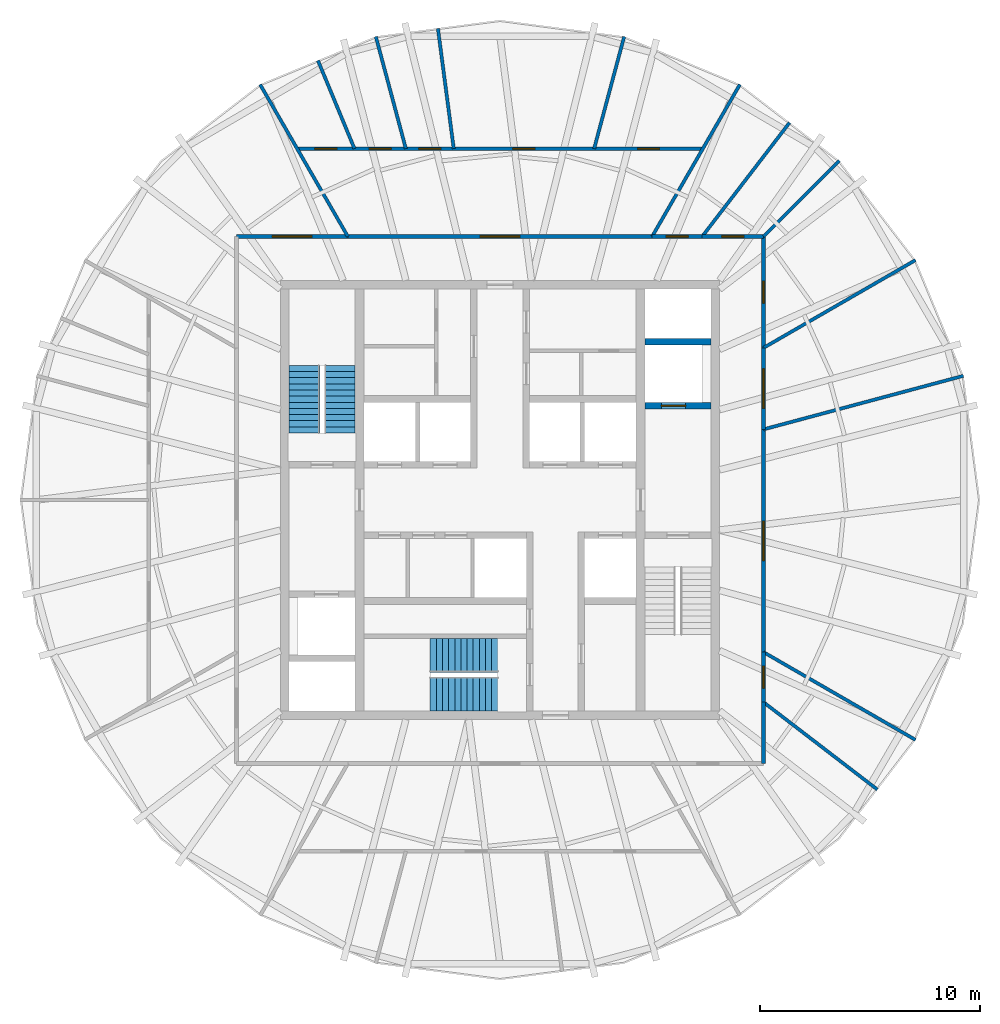
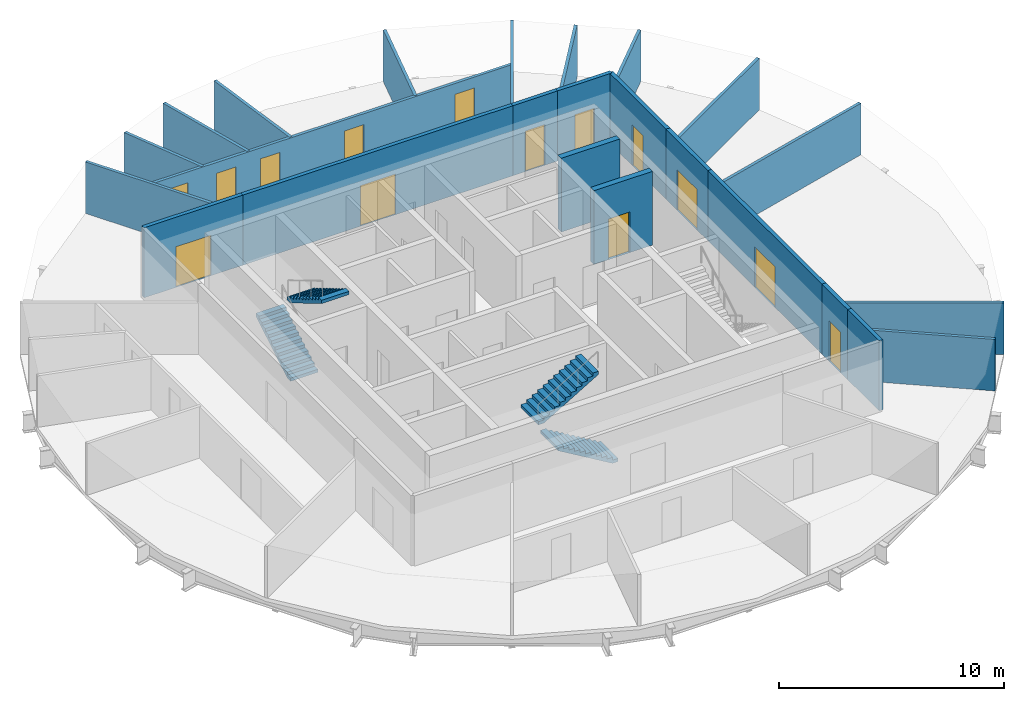
# One storey, part 5 of 7: 24 walls, 14 doors, 4 stair flights, 14 openings, 2 elements without a shape of their own.
"""IFC4 building model written with IfcOpenShell, lengths in metres."""

from ifc_helpers import new_model, si_unit, direction, frame, frame_2d, origin, place, context, subcontext, project, spatial, polyline, rectangle, outline, extrude, material, layer, layer_set, type_object, element, fill, aggregate, save


model = new_model("IFC4")

# Units and contexts
model_context = context("Model", 3, precision=1e-05, world=origin(), true_north=direction((0.0, 1.0)))
body_context = subcontext(model_context, "Body", "Model", "MODEL_VIEW")
ifc_project = project(units=[si_unit("LENGTHUNIT", "METRE"), si_unit("AREAUNIT", "SQUARE_METRE"), si_unit("VOLUMEUNIT", "CUBIC_METRE"), si_unit("PLANEANGLEUNIT", "RADIAN"), si_unit("MASSUNIT", "GRAM", prefix="KILO")], contexts=[model_context])

# Site, building, storey
site_placement = place(None, origin())
site = spatial("IfcSite", under=ifc_project, at=site_placement, CompositionType="ELEMENT")
building_placement = place(site_placement, origin())
building = spatial("IfcBuilding", under=site, at=building_placement, Name="Golbaran Civic Tower", CompositionType="ELEMENT")
storey_placement = place(building_placement, frame((0.0, 0.0, 268.0)))
storey = spatial("IfcBuildingStorey", under=building, at=storey_placement, Name="L65", CompositionType="ELEMENT", Elevation=268.0)

# Wall, opening, door
ifc_material_1 = material(Name="Gypsum board on steel studs, fire-rated", Category="steel")
ifc_layer_1 = layer(ifc_material_1, 0.199951171875, Name="Gypsum board on steel studs, fire-rated")
ifc_layer_set_1 = layer_set([ifc_layer_1], Name="Gypsum board on steel studs, fire-rated")
wall_type_1 = type_object("IfcWallType", Name="CORRIDOR WALL 200", PredefinedType="PARTITIONING", material=ifc_layer_set_1)
wall_1_placement = place(storey_placement, frame((12.0, -6.92822265625, 0.0), z_axis=(0.0, 0.0, 1.0), x_axis=(0.0, 1.0, 0.0)))
wall_1 = element("IfcWall", 1, at=wall_1_placement, inside=storey, type_object=wall_type_1, Name="Corridor wall L65", PredefinedType="PARTITIONING", context=body_context, shape_type="SweptSolid", body=[
    extrude(rectangle(XDim=10.1435546875, YDim=0.199951171875, at=frame_2d((5.07177734375, 0.0))), origin(), (0.0, 0.0, 1.0), 3.800048828125),
])
opening_1_placement = place(wall_1_placement, frame((4.171875, 0.0, 0.0)))
opening_1 = element("IfcOpeningElement", 2, at=opening_1_placement, cuts=wall_1, Name="Opening L65.14", PredefinedType="OPENING", context=body_context, shape_type="SweptSolid", body=[
    extrude(rectangle(XDim=1.800048828125, YDim=2.199951171875, at=frame_2d((0.89990234375, 1.10009765625))), frame((0.0, 0.10986328125, 0.0), z_axis=(0.0, -1.0, 0.0), x_axis=(1.0, 0.0, 0.0)), (0.0, 0.0, 1.0), 0.219970703125),
])
ifc_material_2 = material(Name="Timber door set in steel frame", Category="steel")
door_type_1 = type_object("IfcDoorType", Name="OFFICE DOUBLE DOOR 1800x2200", OperationType="DOUBLE_DOOR_SINGLE_SWING", PredefinedType="DOOR", material=ifc_material_2)
door_1_placement = place(opening_1_placement, origin())
door_1 = element("IfcDoor", 3, at=door_1_placement, inside=storey, type_object=door_type_1, Name="Meeting Room door L65", OperationType="DOUBLE_DOOR_SINGLE_SWING", OverallHeight=2.199951171875, OverallWidth=1.800048828125, PredefinedType="DOOR", context=body_context, shape_type="SweptSolid", body=[
    extrude(rectangle(XDim=1.800048828125, YDim=2.199951171875, at=frame_2d((0.89990234375, 1.10009765625))), frame((0.0, 0.02490234375, 0.0), z_axis=(0.0, -1.0, 0.0), x_axis=(1.0, 0.0, 0.0)), (0.0, 0.0, 1.0), 0.050048828125),
])
fill(opening_1, door_1)

wall_2_placement = place(storey_placement, frame((12.0, 3.21533203125, 0.0), z_axis=(0.0, 0.0, 1.0), x_axis=(0.0, 1.0, 0.0)))
wall_2 = element("IfcWall", 4, at=wall_2_placement, inside=storey, type_object=wall_type_1, Name="Corridor wall L65", PredefinedType="PARTITIONING", context=body_context, shape_type="SweptSolid", body=[
    extrude(rectangle(XDim=3.712890625, YDim=0.199951171875, at=frame_2d((1.8564453125, 0.0))), origin(), (0.0, 0.0, 1.0), 3.800048828125),
])
opening_2_placement = place(wall_2_placement, frame((0.956298828125, 0.0, 0.0)))
opening_2 = element("IfcOpeningElement", 5, at=opening_2_placement, cuts=wall_2, Name="Opening L65.15", PredefinedType="OPENING", context=body_context, shape_type="SweptSolid", body=[
    extrude(rectangle(XDim=1.800048828125, YDim=2.199951171875, at=frame_2d((0.89990234375, 1.10009765625))), frame((0.0, 0.10986328125, 0.0), z_axis=(0.0, -1.0, 0.0), x_axis=(1.0, 0.0, 0.0)), (0.0, 0.0, 1.0), 0.219970703125),
])
door_2_placement = place(opening_2_placement, origin())
door_2 = element("IfcDoor", 6, at=door_2_placement, inside=storey, type_object=door_type_1, Name="Conference Room door L65", OperationType="DOUBLE_DOOR_SINGLE_SWING", OverallHeight=2.199951171875, OverallWidth=1.800048828125, PredefinedType="DOOR", context=body_context, shape_type="SweptSolid", body=[
    extrude(rectangle(XDim=1.800048828125, YDim=2.199951171875, at=frame_2d((0.89990234375, 1.10009765625))), frame((0.0, 0.02490234375, 0.0), z_axis=(0.0, -1.0, 0.0), x_axis=(1.0, 0.0, 0.0)), (0.0, 0.0, 1.0), 0.050048828125),
])
fill(opening_2, door_2)

wall_3_placement = place(storey_placement, frame((12.0, 6.92822265625, 0.0), z_axis=(0.0, 0.0, 1.0), x_axis=(0.0, 1.0, 0.0)))
wall_3 = element("IfcWall", 7, at=wall_3_placement, inside=storey, type_object=wall_type_1, Name="Corridor wall L65", PredefinedType="PARTITIONING", context=body_context, shape_type="SweptSolid", body=[
    extrude(rectangle(XDim=5.07177734375, YDim=0.199951171875, at=frame_2d((2.535888671875, 0.0))), origin(), (0.0, 0.0, 1.0), 3.800048828125),
])
opening_3_placement = place(wall_3_placement, frame((2.035888671875, 0.0, 0.0)))
opening_3 = element("IfcOpeningElement", 8, at=opening_3_placement, cuts=wall_3, Name="Opening L65.16", PredefinedType="OPENING", context=body_context, shape_type="SweptSolid", body=[
    extrude(rectangle(XDim=1.0, YDim=2.199951171875, at=frame_2d((0.5, 1.10009765625))), frame((0.0, 0.10986328125, 0.0), z_axis=(0.0, -1.0, 0.0), x_axis=(1.0, 0.0, 0.0)), (0.0, 0.0, 1.0), 0.219970703125),
])
door_type_2 = type_object("IfcDoorType", Name="OFFICE DOOR 1000x2200", OperationType="SINGLE_SWING_LEFT", PredefinedType="DOOR", material=ifc_material_2)
door_3_placement = place(opening_3_placement, origin())
door_3 = element("IfcDoor", 9, at=door_3_placement, inside=storey, type_object=door_type_2, Name="Pantry door L65", OperationType="SINGLE_SWING_LEFT", OverallHeight=2.199951171875, OverallWidth=1.0, PredefinedType="DOOR", context=body_context, shape_type="SweptSolid", body=[
    extrude(rectangle(XDim=1.0, YDim=2.199951171875, at=frame_2d((0.5, 1.10009765625))), frame((0.0, 0.02490234375, 0.0), z_axis=(0.0, -1.0, 0.0), x_axis=(1.0, 0.0, 0.0)), (0.0, 0.0, 1.0), 0.050048828125),
])
fill(opening_3, door_3)

wall_4_placement = place(storey_placement, frame((12.0, 12.0, 0.0), z_axis=(0.0, 0.0, 1.0), x_axis=(-1.0, 0.0, 0.0)))
wall_4 = element("IfcWall", 10, at=wall_4_placement, inside=storey, type_object=wall_type_1, Name="Corridor wall L65", PredefinedType="PARTITIONING", context=body_context, shape_type="SweptSolid", body=[
    extrude(rectangle(XDim=2.7919921875, YDim=0.199951171875, at=frame_2d((1.39599609375, 0.0))), origin(), (0.0, 0.0, 1.0), 3.800048828125),
])
opening_4_placement = place(wall_4_placement, frame((0.89599609375, 0.0, 0.0)))
opening_4 = element("IfcOpeningElement", 11, at=opening_4_placement, cuts=wall_4, Name="Opening L65.17", PredefinedType="OPENING", context=body_context, shape_type="SweptSolid", body=[
    extrude(rectangle(XDim=1.0, YDim=2.199951171875, at=frame_2d((0.5, 1.10009765625))), frame((0.0, 0.10986328125, 0.0), z_axis=(0.0, -1.0, 0.0), x_axis=(1.0, 0.0, 0.0)), (0.0, 0.0, 1.0), 0.219970703125),
])
door_4_placement = place(opening_4_placement, origin())
door_4 = element("IfcDoor", 12, at=door_4_placement, inside=storey, type_object=door_type_2, Name="Prayer Room door L65", OperationType="SINGLE_SWING_RIGHT", OverallHeight=2.199951171875, OverallWidth=1.0, PredefinedType="DOOR", context=body_context, shape_type="SweptSolid", body=[
    extrude(rectangle(XDim=1.0, YDim=2.199951171875, at=frame_2d((0.5, 1.10009765625))), frame((0.0, 0.02490234375, 0.0), z_axis=(0.0, -1.0, 0.0), x_axis=(1.0, 0.0, 0.0)), (0.0, 0.0, 1.0), 0.050048828125),
])
fill(opening_4, door_4)

wall_5_placement = place(storey_placement, frame((9.2080078125, 12.0, 0.0), z_axis=(0.0, 0.0, 1.0), x_axis=(-1.0, 0.0, 0.0)))
wall_5 = element("IfcWall", 13, at=wall_5_placement, inside=storey, type_object=wall_type_1, Name="Corridor wall L65", PredefinedType="PARTITIONING", context=body_context, shape_type="SweptSolid", body=[
    extrude(rectangle(XDim=2.27978515625, YDim=0.199951171875, at=frame_2d((1.139892578125, 0.0))), origin(), (0.0, 0.0, 1.0), 3.800048828125),
])
opening_5_placement = place(wall_5_placement, frame((0.639892578125, 0.0, 0.0)))
opening_5 = element("IfcOpeningElement", 14, at=opening_5_placement, cuts=wall_5, Name="Opening L65.18", PredefinedType="OPENING", context=body_context, shape_type="SweptSolid", body=[
    extrude(rectangle(XDim=1.0, YDim=2.199951171875, at=frame_2d((0.5, 1.10009765625))), frame((0.0, 0.10986328125, 0.0), z_axis=(0.0, -1.0, 0.0), x_axis=(1.0, 0.0, 0.0)), (0.0, 0.0, 1.0), 0.219970703125),
])
door_5_placement = place(opening_5_placement, origin())
door_5 = element("IfcDoor", 15, at=door_5_placement, inside=storey, type_object=door_type_2, Name="Quiet Room door L65", OperationType="SINGLE_SWING_RIGHT", OverallHeight=2.199951171875, OverallWidth=1.0, PredefinedType="DOOR", context=body_context, shape_type="SweptSolid", body=[
    extrude(rectangle(XDim=1.0, YDim=2.199951171875, at=frame_2d((0.5, 1.10009765625))), frame((0.0, 0.02490234375, 0.0), z_axis=(0.0, -1.0, 0.0), x_axis=(1.0, 0.0, 0.0)), (0.0, 0.0, 1.0), 0.050048828125),
])
fill(opening_5, door_5)

wall_6_placement = place(storey_placement, frame((6.92822265625, 12.0, 0.0), z_axis=(0.0, 0.0, 1.0), x_axis=(-1.0, 0.0, 0.0)))
wall_6 = element("IfcWall", 16, at=wall_6_placement, inside=storey, type_object=wall_type_1, Name="Corridor wall L65", PredefinedType="PARTITIONING", context=body_context, shape_type="SweptSolid", body=[
    extrude(rectangle(XDim=13.8564453125, YDim=0.199951171875, at=frame_2d((6.92822265625, 0.0))), origin(), (0.0, 0.0, 1.0), 3.800048828125),
])
opening_6_placement = place(wall_6_placement, frame((6.0283203125, 0.0, 0.0)))
opening_6 = element("IfcOpeningElement", 17, at=opening_6_placement, cuts=wall_6, Name="Opening L65.19", PredefinedType="OPENING", context=body_context, shape_type="SweptSolid", body=[
    extrude(rectangle(XDim=1.800048828125, YDim=2.199951171875, at=frame_2d((0.89990234375, 1.10009765625))), frame((0.0, 0.10986328125, 0.0), z_axis=(0.0, -1.0, 0.0), x_axis=(1.0, 0.0, 0.0)), (0.0, 0.0, 1.0), 0.219970703125),
])
door_6_placement = place(opening_6_placement, origin())
door_6 = element("IfcDoor", 18, at=door_6_placement, inside=storey, type_object=door_type_1, Name="Reception door L65", OperationType="DOUBLE_DOOR_SINGLE_SWING", OverallHeight=2.199951171875, OverallWidth=1.800048828125, PredefinedType="DOOR", context=body_context, shape_type="SweptSolid", body=[
    extrude(rectangle(XDim=1.800048828125, YDim=2.199951171875, at=frame_2d((0.89990234375, 1.10009765625))), frame((0.0, 0.02490234375, 0.0), z_axis=(0.0, -1.0, 0.0), x_axis=(1.0, 0.0, 0.0)), (0.0, 0.0, 1.0), 0.050048828125),
])
fill(opening_6, door_6)

wall_7_placement = place(storey_placement, frame((-6.92822265625, 12.0, 0.0), z_axis=(0.0, 0.0, 1.0), x_axis=(-1.0, 0.0, 0.0)))
wall_7 = element("IfcWall", 19, at=wall_7_placement, inside=storey, type_object=wall_type_1, Name="Corridor wall L65", PredefinedType="PARTITIONING", context=body_context, shape_type="SweptSolid", body=[
    extrude(rectangle(XDim=5.07177734375, YDim=0.199951171875, at=frame_2d((2.535888671875, 0.0))), origin(), (0.0, 0.0, 1.0), 3.800048828125),
])
opening_7_placement = place(wall_7_placement, frame((1.635986328125, 0.0, 0.0)))
opening_7 = element("IfcOpeningElement", 20, at=opening_7_placement, cuts=wall_7, Name="Opening L65.20", PredefinedType="OPENING", context=body_context, shape_type="SweptSolid", body=[
    extrude(rectangle(XDim=1.800048828125, YDim=2.199951171875, at=frame_2d((0.89990234375, 1.10009765625))), frame((0.0, 0.10986328125, 0.0), z_axis=(0.0, -1.0, 0.0), x_axis=(1.0, 0.0, 0.0)), (0.0, 0.0, 1.0), 0.219970703125),
])
door_7_placement = place(opening_7_placement, origin())
door_7 = element("IfcDoor", 21, at=door_7_placement, inside=storey, type_object=door_type_1, Name="Open Office door L65", OperationType="DOUBLE_DOOR_SINGLE_SWING", OverallHeight=2.199951171875, OverallWidth=1.800048828125, PredefinedType="DOOR", context=body_context, shape_type="SweptSolid", body=[
    extrude(rectangle(XDim=1.800048828125, YDim=2.199951171875, at=frame_2d((0.89990234375, 1.10009765625))), frame((0.0, 0.02490234375, 0.0), z_axis=(0.0, -1.0, 0.0), x_axis=(1.0, 0.0, 0.0)), (0.0, 0.0, 1.0), 0.050048828125),
])
fill(opening_7, door_7)

# Wall
wall_8_placement = place(storey_placement, frame((12.0, -12.0, 0.0), z_axis=(0.0, 0.0, 1.0), x_axis=(0.0, 1.0, 0.0)))
element("IfcWall", 22, at=wall_8_placement, inside=storey, type_object=wall_type_1, Name="Corridor wall L65", PredefinedType="PARTITIONING", context=body_context, shape_type="SweptSolid", body=[
    extrude(rectangle(XDim=2.7919921875, YDim=0.199951171875, at=frame_2d((1.39599609375, 0.0))), origin(), (0.0, 0.0, 1.0), 3.800048828125),
])

# Wall, opening, door
wall_9_placement = place(storey_placement, frame((12.0, -9.2080078125, 0.0), z_axis=(0.0, 0.0, 1.0), x_axis=(0.0, 1.0, 0.0)))
wall_9 = element("IfcWall", 23, at=wall_9_placement, inside=storey, type_object=wall_type_1, Name="Corridor wall L65", PredefinedType="PARTITIONING", context=body_context, shape_type="SweptSolid", body=[
    extrude(rectangle(XDim=2.27978515625, YDim=0.199951171875, at=frame_2d((1.139892578125, 0.0))), origin(), (0.0, 0.0, 1.0), 3.800048828125),
])
opening_8_placement = place(wall_9_placement, frame((0.639892578125, 0.0, 0.0)))
opening_8 = element("IfcOpeningElement", 24, at=opening_8_placement, cuts=wall_9, Name="Opening L65.25", PredefinedType="OPENING", context=body_context, shape_type="SweptSolid", body=[
    extrude(rectangle(XDim=1.0, YDim=2.199951171875, at=frame_2d((0.5, 1.10009765625))), frame((0.0, 0.10986328125, 0.0), z_axis=(0.0, -1.0, 0.0), x_axis=(1.0, 0.0, 0.0)), (0.0, 0.0, 1.0), 0.219970703125),
])
door_8_placement = place(opening_8_placement, origin())
door_8 = element("IfcDoor", 25, at=door_8_placement, inside=storey, type_object=door_type_2, Name="File Room door L65", OperationType="SINGLE_SWING_LEFT", OverallHeight=2.199951171875, OverallWidth=1.0, PredefinedType="DOOR", context=body_context, shape_type="SweptSolid", body=[
    extrude(rectangle(XDim=1.0, YDim=2.199951171875, at=frame_2d((0.5, 1.10009765625))), frame((0.0, 0.02490234375, 0.0), z_axis=(0.0, -1.0, 0.0), x_axis=(1.0, 0.0, 0.0)), (0.0, 0.0, 1.0), 0.050048828125),
])
fill(opening_8, door_8)

# Walls
ifc_material_3 = material(Name="Gypsum board on steel studs", Category="steel")
ifc_layer_2 = layer(ifc_material_3, 0.14990234375, Name="Gypsum board on steel studs")
ifc_layer_set_2 = layer_set([ifc_layer_2], Name="Gypsum board on steel studs")
wall_type_2 = type_object("IfcWallType", Name="OFFICE PARTITION 150", PredefinedType="PARTITIONING", material=ifc_layer_set_2)
wall_10_placement = place(storey_placement, frame((12.0, -6.92822265625, 0.0), z_axis=(0.0, 0.0, 1.0), x_axis=(0.86602940896, -0.499993062769, 0.0)))
element("IfcWall", 26, at=wall_10_placement, inside=storey, type_object=wall_type_2, Name="Partition 330 L65", PredefinedType="PARTITIONING", context=body_context, shape_type="SweptSolid", body=[
    extrude(rectangle(XDim=7.99169921875, YDim=0.14990234375, at=frame_2d((3.995849609375, 0.0))), origin(), (0.0, 0.0, 1.0), 2.7900390625),
])
wall_11_placement = place(storey_placement, frame((12.0, 3.21533203125, 0.0), z_axis=(0.0, 0.0, 1.0), x_axis=(0.965922960223, 0.258829741171, 0.0)))
element("IfcWall", 27, at=wall_11_placement, inside=storey, type_object=wall_type_2, Name="Partition 15 L65", PredefinedType="PARTITIONING", context=body_context, shape_type="SweptSolid", body=[
    extrude(rectangle(XDim=9.425048828125, YDim=0.14990234375, at=frame_2d((4.71240234375, 0.0))), origin(), (0.0, 0.0, 1.0), 2.7900390625),
])
wall_12_placement = place(storey_placement, frame((12.0, 6.92822265625, 0.0), z_axis=(0.0, 0.0, 1.0), x_axis=(0.86602940896, 0.499993062769, 0.0)))
element("IfcWall", 28, at=wall_12_placement, inside=storey, type_object=wall_type_2, Name="Partition 30 L65", PredefinedType="PARTITIONING", context=body_context, shape_type="SweptSolid", body=[
    extrude(rectangle(XDim=7.99169921875, YDim=0.14990234375, at=frame_2d((3.995849609375, 0.0))), origin(), (0.0, 0.0, 1.0), 2.7900390625),
])
wall_13_placement = place(storey_placement, frame((12.0, 12.0, 0.0), z_axis=(0.0, 0.0, 1.0), x_axis=(0.707106781187, 0.707106781187, 0.0)))
element("IfcWall", 29, at=wall_13_placement, inside=storey, type_object=wall_type_2, Name="Partition 45 L65", PredefinedType="PARTITIONING", context=body_context, shape_type="SweptSolid", body=[
    extrude(rectangle(XDim=4.877685546875, YDim=0.14990234375, at=frame_2d((2.43896484375, 0.0))), origin(), (0.0, 0.0, 1.0), 2.7900390625),
])
wall_14_placement = place(storey_placement, frame((9.2080078125, 12.0, 0.0), z_axis=(0.0, 0.0, 1.0), x_axis=(0.608749894603, 0.793362190819, 0.0)))
element("IfcWall", 30, at=wall_14_placement, inside=storey, type_object=wall_type_2, Name="Partition 52.5 L65", PredefinedType="PARTITIONING", context=body_context, shape_type="SweptSolid", body=[
    extrude(rectangle(XDim=6.53564453125, YDim=0.14990234375, at=frame_2d((3.267822265625, 0.0))), origin(), (0.0, 0.0, 1.0), 2.7900390625),
])
for number, where, z_axis, x_axis, name in (
    (31, (6.92822265625, 12.0, 0.0), (0.0, 0.0, 1.0), (0.499993062769, 0.86602940896, 0.0), "Partition 60 L65"),
    (32, (-6.92822265625, 12.0, 0.0), (0.0, 0.0, 1.0), (-0.499993062769, 0.86602940896, 0.0), "Partition 120 L65"),
):
    element("IfcWall", number, at=place(storey_placement, frame(where, z_axis=z_axis, x_axis=x_axis)), inside=storey, type_object=wall_type_2, Name=name, PredefinedType="PARTITIONING", context=body_context, shape_type="SweptSolid", body=[
        extrude(rectangle(XDim=7.99169921875, YDim=0.14990234375, at=frame_2d((3.995849609375, 0.0))), origin(), (0.0, 0.0, 1.0), 2.7900390625),
    ])
wall_15_placement = place(storey_placement, frame((12.0, -9.2080078125, 0.0), z_axis=(0.0, 0.0, 1.0), x_axis=(0.793362190819, -0.608749894603, 0.0)))
element("IfcWall", 33, at=wall_15_placement, inside=storey, type_object=wall_type_2, Name="Partition 322.5 L65", PredefinedType="PARTITIONING", context=body_context, shape_type="SweptSolid", body=[
    extrude(rectangle(XDim=6.53564453125, YDim=0.14990234375, at=frame_2d((3.267822265625, 0.0))), origin(), (0.0, 0.0, 1.0), 2.7900390625),
])

# Wall, openings, doors
wall_16_placement = place(storey_placement, frame((9.237548828125, 16.0, 0.0), z_axis=(0.0, 0.0, 1.0), x_axis=(-1.0, 0.0, 0.0)))
wall_16 = element("IfcWall", 34, at=wall_16_placement, inside=storey, type_object=wall_type_2, Name="Suite partition L65", PredefinedType="PARTITIONING", context=body_context, shape_type="SweptSolid", body=[
    extrude(rectangle(XDim=18.47509765625, YDim=0.14990234375, at=frame_2d((9.237548828125, 0.0))), origin(), (0.0, 0.0, 1.0), 2.7900390625),
])
opening_9_placement = place(wall_16_placement, frame((1.97509765625, 0.0, 0.0)))
opening_9 = element("IfcOpeningElement", 35, at=opening_9_placement, cuts=wall_16, Name="Opening L65.02", PredefinedType="OPENING", context=body_context, shape_type="SweptSolid", body=[
    extrude(rectangle(XDim=1.0, YDim=2.199951171875, at=frame_2d((0.5, 1.10009765625))), frame((0.0, 0.0849609375, 0.0), z_axis=(0.0, -1.0, 0.0), x_axis=(1.0, 0.0, 0.0)), (0.0, 0.0, 1.0), 0.169921875),
])
opening_10_placement = place(wall_16_placement, frame((7.647216796875, 0.0, 0.0)))
opening_10 = element("IfcOpeningElement", 36, at=opening_10_placement, cuts=wall_16, Name="Opening L65.03", PredefinedType="OPENING", context=body_context, shape_type="SweptSolid", body=[
    extrude(rectangle(XDim=1.0, YDim=2.199951171875, at=frame_2d((0.5, 1.10009765625))), frame((0.0, 0.0849609375, 0.0), z_axis=(0.0, -1.0, 0.0), x_axis=(1.0, 0.0, 0.0)), (0.0, 0.0, 1.0), 0.169921875),
])
opening_11_placement = place(wall_16_placement, frame((11.934326171875, 0.0, 0.0)))
opening_11 = element("IfcOpeningElement", 37, at=opening_11_placement, cuts=wall_16, Name="Opening L65.04", PredefinedType="OPENING", context=body_context, shape_type="SweptSolid", body=[
    extrude(rectangle(XDim=1.0, YDim=2.199951171875, at=frame_2d((0.5, 1.10009765625))), frame((0.0, 0.0849609375, 0.0), z_axis=(0.0, -1.0, 0.0), x_axis=(1.0, 0.0, 0.0)), (0.0, 0.0, 1.0), 0.169921875),
])
opening_12_placement = place(wall_16_placement, frame((14.19482421875, 0.0, 0.0)))
opening_12 = element("IfcOpeningElement", 38, at=opening_12_placement, cuts=wall_16, Name="Opening L65.05", PredefinedType="OPENING", context=body_context, shape_type="SweptSolid", body=[
    extrude(rectangle(XDim=1.0, YDim=2.199951171875, at=frame_2d((0.5, 1.10009765625))), frame((0.0, 0.0849609375, 0.0), z_axis=(0.0, -1.0, 0.0), x_axis=(1.0, 0.0, 0.0)), (0.0, 0.0, 1.0), 0.169921875),
])
opening_13_placement = place(wall_16_placement, frame((16.670166015625, 0.0, 0.0)))
opening_13 = element("IfcOpeningElement", 39, at=opening_13_placement, cuts=wall_16, Name="Opening L65.06", PredefinedType="OPENING", context=body_context, shape_type="SweptSolid", body=[
    extrude(rectangle(XDim=1.0, YDim=2.199951171875, at=frame_2d((0.5, 1.10009765625))), frame((0.0, 0.0849609375, 0.0), z_axis=(0.0, -1.0, 0.0), x_axis=(1.0, 0.0, 0.0)), (0.0, 0.0, 1.0), 0.169921875),
])
door_9_placement = place(opening_9_placement, origin())
door_9 = element("IfcDoor", 40, at=door_9_placement, inside=storey, type_object=door_type_2, Name="Assistants' Office door L65", OperationType="SINGLE_SWING_LEFT", OverallHeight=2.199951171875, OverallWidth=1.0, PredefinedType="DOOR", context=body_context, shape_type="SweptSolid", body=[
    extrude(rectangle(XDim=1.0, YDim=2.199951171875, at=frame_2d((0.5, 1.10009765625))), frame((0.0, 0.02490234375, 0.0), z_axis=(0.0, -1.0, 0.0), x_axis=(1.0, 0.0, 0.0)), (0.0, 0.0, 1.0), 0.050048828125),
])
fill(opening_9, door_9)
door_10_placement = place(opening_10_placement, origin())
door_10 = element("IfcDoor", 41, at=door_10_placement, inside=storey, type_object=door_type_2, Name="Office door L65", OperationType="SINGLE_SWING_LEFT", OverallHeight=2.199951171875, OverallWidth=1.0, PredefinedType="DOOR", context=body_context, shape_type="SweptSolid", body=[
    extrude(rectangle(XDim=1.0, YDim=2.199951171875, at=frame_2d((0.5, 1.10009765625))), frame((0.0, 0.02490234375, 0.0), z_axis=(0.0, -1.0, 0.0), x_axis=(1.0, 0.0, 0.0)), (0.0, 0.0, 1.0), 0.050048828125),
])
fill(opening_10, door_10)
door_11_placement = place(opening_11_placement, origin())
door_11 = element("IfcDoor", 42, at=door_11_placement, inside=storey, type_object=door_type_2, Name="Private Meeting Room door L65", OperationType="SINGLE_SWING_RIGHT", OverallHeight=2.199951171875, OverallWidth=1.0, PredefinedType="DOOR", context=body_context, shape_type="SweptSolid", body=[
    extrude(rectangle(XDim=1.0, YDim=2.199951171875, at=frame_2d((0.5, 1.10009765625))), frame((0.0, 0.02490234375, 0.0), z_axis=(0.0, -1.0, 0.0), x_axis=(1.0, 0.0, 0.0)), (0.0, 0.0, 1.0), 0.050048828125),
])
fill(opening_11, door_11)
door_12_placement = place(opening_12_placement, origin())
door_12 = element("IfcDoor", 43, at=door_12_placement, inside=storey, type_object=door_type_2, Name="Assistants' Office door L65", OperationType="SINGLE_SWING_RIGHT", OverallHeight=2.199951171875, OverallWidth=1.0, PredefinedType="DOOR", context=body_context, shape_type="SweptSolid", body=[
    extrude(rectangle(XDim=1.0, YDim=2.199951171875, at=frame_2d((0.5, 1.10009765625))), frame((0.0, 0.02490234375, 0.0), z_axis=(0.0, -1.0, 0.0), x_axis=(1.0, 0.0, 0.0)), (0.0, 0.0, 1.0), 0.050048828125),
])
fill(opening_12, door_12)
door_13_placement = place(opening_13_placement, origin())
door_13 = element("IfcDoor", 44, at=door_13_placement, inside=storey, type_object=door_type_2, Name="Assistants' Office door L65", OperationType="SINGLE_SWING_RIGHT", OverallHeight=2.199951171875, OverallWidth=1.0, PredefinedType="DOOR", context=body_context, shape_type="SweptSolid", body=[
    extrude(rectangle(XDim=1.0, YDim=2.199951171875, at=frame_2d((0.5, 1.10009765625))), frame((0.0, 0.02490234375, 0.0), z_axis=(0.0, -1.0, 0.0), x_axis=(1.0, 0.0, 0.0)), (0.0, 0.0, 1.0), 0.050048828125),
])
fill(opening_13, door_13)

# Walls
wall_17_placement = place(storey_placement, frame((4.287109375, 16.0, 0.0), z_axis=(0.0, 0.0, 1.0), x_axis=(0.258841554175, 0.96591979472, 0.0)))
element("IfcWall", 45, at=wall_17_placement, inside=storey, type_object=wall_type_2, Name="Partition 75 L65", PredefinedType="PARTITIONING", context=body_context, shape_type="SweptSolid", body=[
    extrude(rectangle(XDim=5.283935546875, YDim=0.14990234375, at=frame_2d((2.64208984375, 0.0))), origin(), (0.0, 0.0, 1.0), 2.7900390625),
])
wall_18_placement = place(storey_placement, frame((-2.1064453125, 16.0, 0.0), z_axis=(0.0, 0.0, 1.0), x_axis=(-0.130527690291, 0.991444664148, 0.0)))
element("IfcWall", 46, at=wall_18_placement, inside=storey, type_object=wall_type_2, Name="Partition 97.5 L65", PredefinedType="PARTITIONING", context=body_context, shape_type="SweptSolid", body=[
    extrude(rectangle(XDim=5.5234375, YDim=0.14990234375, at=frame_2d((2.76171875, 0.0))), origin(), (0.0, 0.0, 1.0), 2.7900390625),
])
wall_19_placement = place(storey_placement, frame((-4.287109375, 16.0, 0.0), z_axis=(0.0, 0.0, 1.0), x_axis=(-0.258841554175, 0.96591979472, 0.0)))
element("IfcWall", 47, at=wall_19_placement, inside=storey, type_object=wall_type_2, Name="Partition 105 L65", PredefinedType="PARTITIONING", context=body_context, shape_type="SweptSolid", body=[
    extrude(rectangle(XDim=5.283935546875, YDim=0.14990234375, at=frame_2d((2.64208984375, 0.0))), origin(), (0.0, 0.0, 1.0), 2.7900390625),
])
wall_20_placement = place(storey_placement, frame((-6.62744140625, 16.0, 0.0), z_axis=(0.0, 0.0, 1.0), x_axis=(-0.382654647655, 0.923891455003, 0.0)))
element("IfcWall", 48, at=wall_20_placement, inside=storey, type_object=wall_type_2, Name="Partition 112.5 L65", PredefinedType="PARTITIONING", context=body_context, shape_type="SweptSolid", body=[
    extrude(rectangle(XDim=4.343017578125, YDim=0.14990234375, at=frame_2d((2.17138671875, 0.0))), origin(), (0.0, 0.0, 1.0), 2.7900390625),
])

# Wall, opening, door
ifc_material_4 = material(Name="Concrete C50/60", Category="concrete")
ifc_layer_3 = layer(ifc_material_4, 0.300048828125, Name="Concrete C50/60")
ifc_layer_set_3 = layer_set([ifc_layer_3], Name="Concrete C50/60")
wall_type_3 = type_object("IfcWallType", Name="SHAFT WALL CONCRETE 300", PredefinedType="SOLIDWALL", material=ifc_layer_set_3)
wall_21_placement = place(storey_placement, frame((6.60009765625, 4.300048828125, 0.0), z_axis=(0.0, 0.0, 1.0), x_axis=(1.0, 0.0, 0.0)))
wall_21 = element("IfcWall", 49, at=wall_21_placement, inside=storey, type_object=wall_type_3, Name="Core wall XE2 L65", PredefinedType="SOLIDWALL", context=body_context, shape_type="SweptSolid", body=[
    extrude(rectangle(XDim=3.0, YDim=0.300048828125, at=frame_2d((1.5, 0.0))), origin(), (0.0, 0.0, 1.0), 4.0),
])
opening_14_placement = place(wall_21_placement, frame((0.75, 0.0, 0.0)))
opening_14 = element("IfcOpeningElement", 50, at=opening_14_placement, cuts=wall_21, Name="Opening L65.LD-F2", PredefinedType="OPENING", context=body_context, shape_type="SweptSolid", body=[
    extrude(rectangle(XDim=1.10009765625, YDim=2.199951171875, at=frame_2d((0.550048828125, 1.10009765625))), frame((0.0, 0.159912109375, 0.0), z_axis=(0.0, -1.0, 0.0), x_axis=(1.0, 0.0, 0.0)), (0.0, 0.0, 1.0), 0.320068359375),
])
ifc_material_5 = material(Name="Stainless steel", Category="steel")
door_type_3 = type_object("IfcDoorType", Name="LIFT LANDING DOOR 1100x2200", OperationType="SLIDING_TO_LEFT", PredefinedType="DOOR", material=ifc_material_5)
door_14_placement = place(opening_14_placement, origin())
door_14 = element("IfcDoor", 51, at=door_14_placement, inside=storey, type_object=door_type_3, Name="Lift landing door F2", OperationType="SLIDING_TO_LEFT", OverallHeight=2.199951171875, OverallWidth=1.10009765625, PredefinedType="DOOR", context=body_context, shape_type="SweptSolid", body=[
    extrude(rectangle(XDim=1.10009765625, YDim=2.199951171875, at=frame_2d((0.550048828125, 1.10009765625))), frame((0.0, 0.02490234375, 0.0), z_axis=(0.0, -1.0, 0.0), x_axis=(1.0, 0.0, 0.0)), (0.0, 0.0, 1.0), 0.050048828125),
])
fill(opening_14, door_14)

# Wall
wall_22_placement = place(storey_placement, frame((6.60009765625, 7.199951171875, 0.0), z_axis=(0.0, 0.0, 1.0), x_axis=(1.0, 0.0, 0.0)))
element("IfcWall", 52, at=wall_22_placement, inside=storey, type_object=wall_type_3, Name="Core wall XE3 L65", PredefinedType="SOLIDWALL", context=body_context, shape_type="SweptSolid", body=[
    extrude(rectangle(XDim=3.0, YDim=0.300048828125, at=frame_2d((1.5, 0.0))), origin(), (0.0, 0.0, 1.0), 4.0),
])

# Stair, stair flights
ifc_material_6 = material(Name="Concrete C35/45", Category="concrete")
stair_type_1 = type_object("IfcStairType", Name="EXIT STAIR 3000 x 7850, 4000 RISE", PredefinedType="HALF_TURN_STAIR", material=ifc_material_6)
stair_1_placement = place(storey_placement, origin())
stair_1 = element("IfcStair", 53, at=stair_1_placement, inside=storey, type_object=stair_type_1, Name="Stair S1 L65", PredefinedType="HALF_TURN_STAIR")
stair_flight_type_1 = type_object("IfcStairFlightType", Name="STAIR FLIGHT 1400 WIDE", PredefinedType="STRAIGHT", material=ifc_material_6)
stair_flight_1_placement = place(storey_placement, frame((-8.89990234375, 3.050048828125, 0.0), z_axis=(0.0, 0.0, 1.0), x_axis=(0.0, 1.0, 0.0)))
stair_flight_1 = element("IfcStairFlight", 54, at=stair_flight_1_placement, type_object=stair_flight_type_1, Name="ST30078-40 flight 1", NumberOfRisers=12, NumberOfTreads=11, PredefinedType="STRAIGHT", RiserHeight=0.166666667, TreadLength=0.28, context=body_context, shape_type="SweptSolid", body=[
    extrude(outline(polyline([(0.0, 0.0), (0.0, 0.166748046875), (0.280029296875, 0.166748046875), (0.280029296875, 0.333251953125), (0.56005859375, 0.333251953125), (0.56005859375, 0.5), (0.840087890625, 0.5), (0.840087890625, 0.666748046875), (1.1201171875, 0.666748046875), (1.1201171875, 0.833251953125), (1.39990234375, 0.833251953125), (1.39990234375, 1.0), (1.679931640625, 1.0), (1.679931640625, 1.166748046875), (1.9599609375, 1.166748046875), (1.9599609375, 1.333251953125), (2.239990234375, 1.333251953125), (2.239990234375, 1.5), (2.52001953125, 1.5), (2.52001953125, 1.666748046875), (2.800048828125, 1.666748046875), (2.800048828125, 1.833251953125), (3.080078125, 1.833251953125), (3.080078125, 2.0), (3.080078125, 1.658935546875), (0.29296875, 0.0), (0.0, 0.0)])), frame((0.0, 0.699951171875, 0.0), z_axis=(0.0, -1.0, 0.0), x_axis=(1.0, 0.0, 0.0)), (0.0, 0.0, 1.0), 1.39990234375),
])
stair_flight_2_placement = place(storey_placement, frame((-7.300048828125, 6.1298828125, 2.0), z_axis=(0.0, 0.0, 1.0), x_axis=(0.0, -1.0, 0.0)))
stair_flight_2 = element("IfcStairFlight", 55, at=stair_flight_2_placement, type_object=stair_flight_type_1, Name="ST30078-40 flight 2", NumberOfRisers=12, NumberOfTreads=11, PredefinedType="STRAIGHT", RiserHeight=0.166666667, TreadLength=0.28, context=body_context, shape_type="SweptSolid", body=[
    extrude(outline(polyline([(0.0, 0.0), (0.0, 0.166748046875), (0.280029296875, 0.166748046875), (0.280029296875, 0.333251953125), (0.56005859375, 0.333251953125), (0.56005859375, 0.5), (0.840087890625, 0.5), (0.840087890625, 0.666748046875), (1.1201171875, 0.666748046875), (1.1201171875, 0.833251953125), (1.39990234375, 0.833251953125), (1.39990234375, 1.0), (1.679931640625, 1.0), (1.679931640625, 1.166748046875), (1.9599609375, 1.166748046875), (1.9599609375, 1.333251953125), (2.239990234375, 1.333251953125), (2.239990234375, 1.5), (2.52001953125, 1.5), (2.52001953125, 1.666748046875), (2.800048828125, 1.666748046875), (2.800048828125, 1.833251953125), (3.080078125, 1.833251953125), (3.080078125, 2.0), (3.080078125, 1.658935546875), (0.29296875, 0.0), (0.0, 0.0)])), frame((0.0, 0.699951171875, 0.0), z_axis=(0.0, -1.0, 0.0), x_axis=(1.0, 0.0, 0.0)), (0.0, 0.0, 1.0), 1.39990234375),
])
aggregate(stair_1, [stair_flight_1, stair_flight_2])

stair_type_2 = type_object("IfcStairType", Name="EXIT STAIR 3300 x 7400, 4000 RISE", PredefinedType="HALF_TURN_STAIR", material=ifc_material_6)
stair_2_placement = place(storey_placement, origin())
stair_2 = element("IfcStair", 56, at=stair_2_placement, inside=storey, type_object=stair_type_2, Name="Stair S3 L65", PredefinedType="HALF_TURN_STAIR")
stair_flight_type_2 = type_object("IfcStairFlightType", Name="STAIR FLIGHT 1550 WIDE", PredefinedType="STRAIGHT", material=ifc_material_6)
stair_flight_3_placement = place(storey_placement, frame((-0.10009765625, -8.824951171875, 0.0), z_axis=(0.0, 0.0, 1.0), x_axis=(-1.0, 0.0, 0.0)))
stair_flight_3 = element("IfcStairFlight", 57, at=stair_flight_3_placement, type_object=stair_flight_type_2, Name="ST33074-40 flight 1", NumberOfRisers=12, NumberOfTreads=11, PredefinedType="STRAIGHT", RiserHeight=0.166666667, TreadLength=0.28, context=body_context, shape_type="SweptSolid", body=[
    extrude(outline(polyline([(0.0, 0.0), (0.0, 0.166748046875), (0.280029296875, 0.166748046875), (0.280029296875, 0.333251953125), (0.56005859375, 0.333251953125), (0.56005859375, 0.5), (0.840087890625, 0.5), (0.840087890625, 0.666748046875), (1.1201171875, 0.666748046875), (1.1201171875, 0.833251953125), (1.39990234375, 0.833251953125), (1.39990234375, 1.0), (1.679931640625, 1.0), (1.679931640625, 1.166748046875), (1.9599609375, 1.166748046875), (1.9599609375, 1.333251953125), (2.239990234375, 1.333251953125), (2.239990234375, 1.5), (2.52001953125, 1.5), (2.52001953125, 1.666748046875), (2.800048828125, 1.666748046875), (2.800048828125, 1.833251953125), (3.080078125, 1.833251953125), (3.080078125, 2.0), (3.080078125, 1.658935546875), (0.29296875, 0.0), (0.0, 0.0)])), frame((0.0, 0.77490234375, 0.0), z_axis=(0.0, -1.0, 0.0), x_axis=(1.0, 0.0, 0.0)), (0.0, 0.0, 1.0), 1.550048828125),
])
stair_flight_4_placement = place(storey_placement, frame((-3.179931640625, -7.074951171875, 2.0), z_axis=(0.0, 0.0, 1.0), x_axis=(1.0, 0.0, 0.0)))
stair_flight_4 = element("IfcStairFlight", 58, at=stair_flight_4_placement, type_object=stair_flight_type_2, Name="ST33074-40 flight 2", NumberOfRisers=12, NumberOfTreads=11, PredefinedType="STRAIGHT", RiserHeight=0.166666667, TreadLength=0.28, context=body_context, shape_type="SweptSolid", body=[
    extrude(outline(polyline([(0.0, 0.0), (0.0, 0.166748046875), (0.280029296875, 0.166748046875), (0.280029296875, 0.333251953125), (0.56005859375, 0.333251953125), (0.56005859375, 0.5), (0.840087890625, 0.5), (0.840087890625, 0.666748046875), (1.1201171875, 0.666748046875), (1.1201171875, 0.833251953125), (1.39990234375, 0.833251953125), (1.39990234375, 1.0), (1.679931640625, 1.0), (1.679931640625, 1.166748046875), (1.9599609375, 1.166748046875), (1.9599609375, 1.333251953125), (2.239990234375, 1.333251953125), (2.239990234375, 1.5), (2.52001953125, 1.5), (2.52001953125, 1.666748046875), (2.800048828125, 1.666748046875), (2.800048828125, 1.833251953125), (3.080078125, 1.833251953125), (3.080078125, 2.0), (3.080078125, 1.658935546875), (0.29296875, 0.0), (0.0, 0.0)])), frame((0.0, 0.77490234375, 0.0), z_axis=(0.0, -1.0, 0.0), x_axis=(1.0, 0.0, 0.0)), (0.0, 0.0, 1.0), 1.550048828125),
])
aggregate(stair_2, [stair_flight_3, stair_flight_4])

save(model, "model.ifc")
